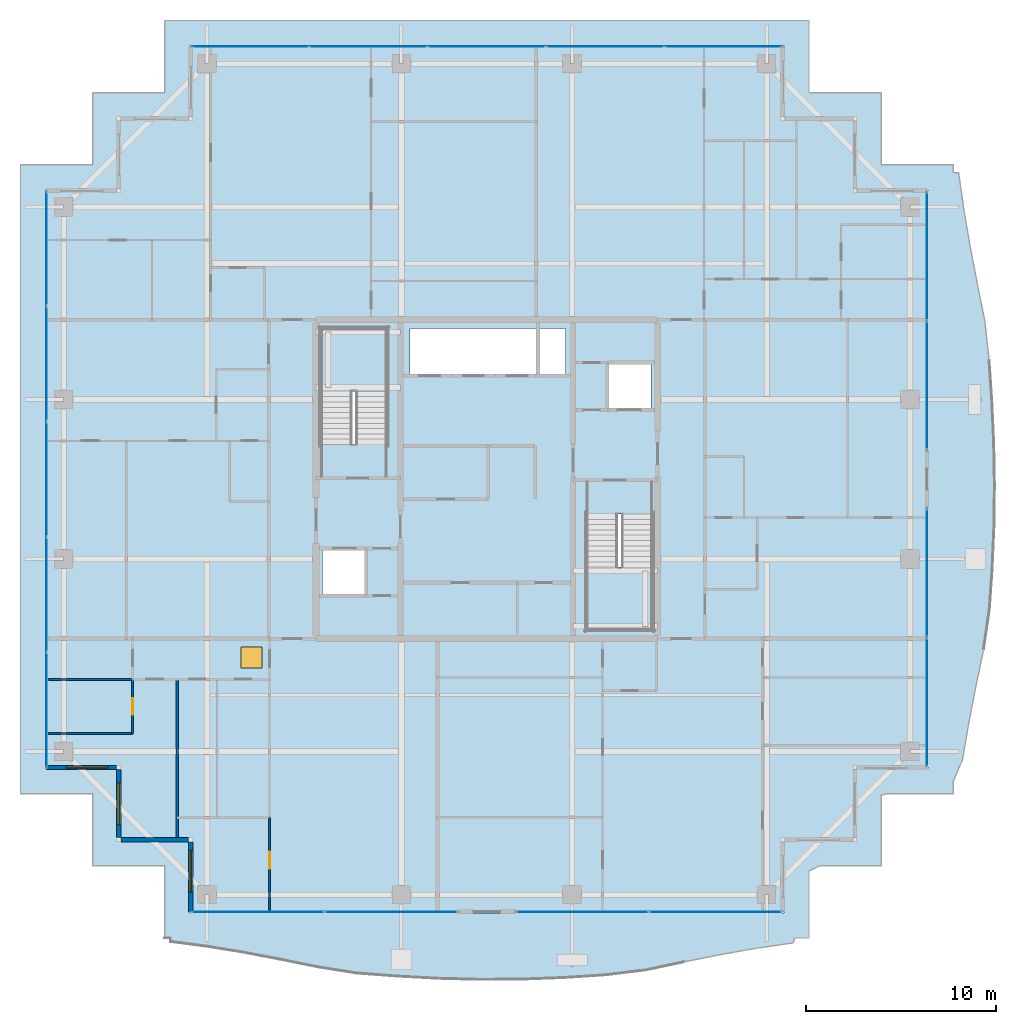
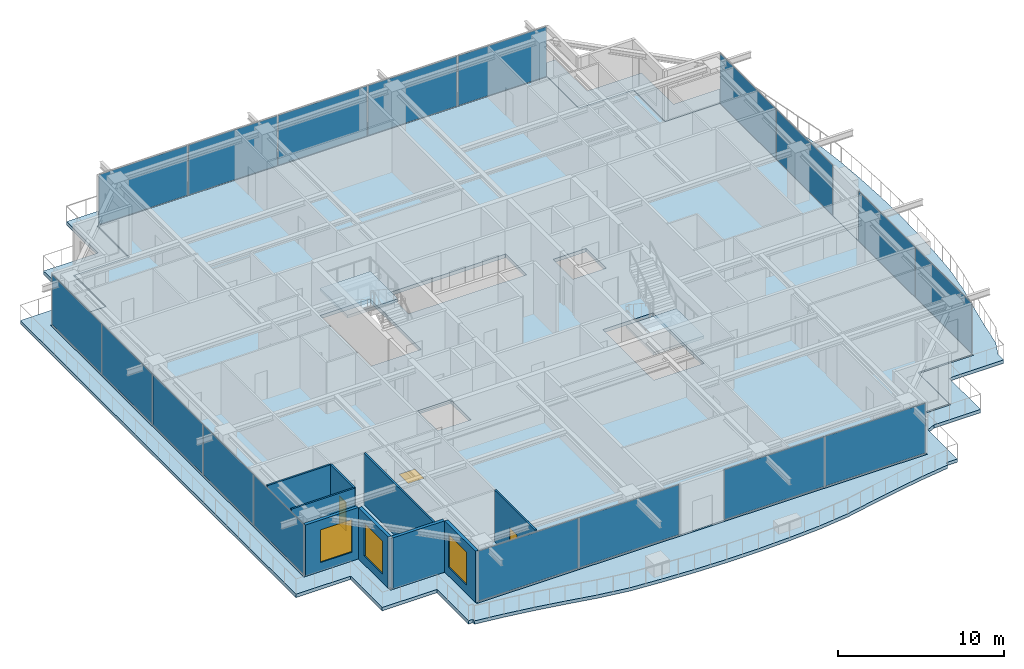
"""IFC4 building model written with IfcOpenShell, lengths in metres."""

from ifc_helpers import new_model, si_unit, direction, frame, frame_2d, origin, origin_2d, place, context, subcontext, project, spatial, polyline, rectangle, outline, extrude, source, transform, mapped, material, layer, layer_set, type_object, element, fill, aggregate, save


model = new_model("IFC4")

# Units and contexts
model_context = context("Model", 3, precision=1e-05, world=origin(), true_north=direction((0.0, 1.0)))
body_context = subcontext(model_context, "Body", "Model", "MODEL_VIEW")
ifc_project = project(units=[si_unit("LENGTHUNIT", "METRE"), si_unit("AREAUNIT", "SQUARE_METRE"), si_unit("VOLUMEUNIT", "CUBIC_METRE"), si_unit("PLANEANGLEUNIT", "RADIAN"), si_unit("MASSUNIT", "GRAM", prefix="KILO")], contexts=[model_context])

# Site, building, storey
site_placement = place(None, origin())
site = spatial("IfcSite", under=ifc_project, at=site_placement, CompositionType="ELEMENT")
building_placement = place(site_placement, origin())
building = spatial("IfcBuilding", under=site, at=building_placement, Name="Serunith Strait Residences", CompositionType="ELEMENT")
storey_1_placement = place(building_placement, frame((0.0, 0.0, 293.449951171875)))
storey_1 = spatial("IfcBuildingStorey", under=building, at=storey_1_placement, Name="L73", CompositionType="ELEMENT", Elevation=293.449951171875)

# Slab
ifc_material_1 = material(Name="Concrete C50/60", Category="concrete")
ifc_layer_1 = layer(ifc_material_1, 0.239990234375, Name="Concrete C50/60")
ifc_layer_set_1 = layer_set([ifc_layer_1], Name="Concrete C50/60")
slab_type_1 = type_object("IfcSlabType", Name="SLB-BALC-240", PredefinedType="FLOOR", material=ifc_layer_set_1)
slab_1_placement = place(storey_1_placement, frame((0.0, 0.0, -0.2900390625)))
element("IfcSlab", 1, at=slab_1_placement, inside=storey_1, type_object=slab_type_1, Name="L73 Planted Vertical-Forest Balcony Slab", PredefinedType="FLOOR", context=body_context, shape_type="SweptSolid", body=[
    extrude(outline(polyline([(15.419921875, 1.02001953125), (15.419921875, 4.820068359375), (11.6201171875, 4.820068359375), (11.6201171875, 8.6201171875), (7.820068359375, 8.6201171875), (7.820068359375, 41.780029296875), (11.6201171875, 41.780029296875), (11.6201171875, 45.580078125), (15.407470703125, 45.580078125), (15.419921875, 45.584716796875), (15.419921875, 49.3798828125), (49.3798828125, 49.3798828125), (49.3798828125, 45.580078125), (53.179931640625, 45.580078125), (53.179931640625, 41.921142578125), (53.201171875, 41.780029296875), (56.97998046875, 41.780029296875), (56.97998046875, 41.367919921875), (57.2685546875, 41.350341796875), (57.53759765625, 39.4482421875), (57.862548828125, 37.52880859375), (58.2373046875, 35.57568359375), (58.64208984375, 33.5703125), (58.87841796875, 31.458251953125), (59.02587890625, 29.293212890625), (59.125, 27.1005859375), (59.163330078125, 24.892333984375), (59.134765625, 22.68408203125), (59.040771484375, 20.491943359375), (58.89111328125, 18.329833984375), (58.584228515625, 16.24609375), (58.17138671875, 14.25830078125), (57.794189453125, 12.3203125), (57.4716796875, 10.41259765625), (56.97998046875, 9.27587890625), (56.97998046875, 8.6201171875), (53.48193359375, 8.6201171875), (53.179931640625, 8.544677734375), (53.179931640625, 4.820068359375), (49.9423828125, 4.820068359375), (49.3798828125, 4.554931640625), (49.3798828125, 1.02001953125), (48.63330078125, 1.02001953125), (48.548583984375, 0.7626953125), (46.653076171875, 0.4873046875), (44.741455078125, 0.15087890625), (42.795654296875, -0.240478515625), (40.794677734375, -0.664794921875), (38.682861328125, -0.924560546875), (36.509521484375, -1.069580078125), (34.30712890625, -1.154296875), (32.091552734375, -1.16943359375), (29.880126953125, -1.1142578125), (27.689208984375, -0.996826171875), (25.530517578125, -0.83154296875), (23.455810546875, -0.50537109375), (21.47119140625, -0.09716796875), (19.533935546875, 0.26953125), (17.624267578125, 0.57958984375), (15.7265625, 0.831298828125), (15.72802734375, 1.02001953125), (15.419921875, 1.02001953125)]), holes=[polyline([(48.054931640625, 2.344970703125), (48.054931640625, 6.14501953125), (51.85498046875, 6.14501953125), (51.85498046875, 9.945068359375), (55.655029296875, 9.945068359375), (55.655029296875, 40.455078125), (51.85498046875, 40.455078125), (51.85498046875, 44.2548828125), (48.054931640625, 44.2548828125), (48.054931640625, 48.054931640625), (16.7451171875, 48.054931640625), (16.7451171875, 44.2548828125), (12.945068359375, 44.2548828125), (12.945068359375, 40.455078125), (9.14501953125, 40.455078125), (9.14501953125, 9.945068359375), (12.945068359375, 9.945068359375), (12.945068359375, 6.14501953125), (16.7451171875, 6.14501953125), (16.7451171875, 2.344970703125), (48.054931640625, 2.344970703125)])]), origin(), (0.0, 0.0, 1.0), 0.239990234375),
])

# Stair, slab
stair_type_1 = type_object("IfcStairType", Name="STR-CORE-1", PredefinedType="HALF_TURN_STAIR", material=ifc_material_1)
stair_1_placement = place(storey_1_placement, origin())
stair_1 = element("IfcStair", 2, at=stair_1_placement, inside=storey_1, type_object=stair_type_1, Name="L73 Protected Escape Stair ST-1", PredefinedType="HALF_TURN_STAIR")
ifc_layer_2 = layer(ifc_material_1, 0.199951171875, Name="Concrete C50/60")
ifc_layer_set_2 = layer_set([ifc_layer_2], Name="Concrete C50/60")
slab_type_2 = type_object("IfcSlabType", Name="SLB-LAND-200", PredefinedType="LANDING", material=ifc_layer_set_2)
slab_2_placement = place(storey_1_placement, frame((0.0, 0.0, 1.824951171875)))
slab_2 = element("IfcSlab", 3, at=slab_2_placement, type_object=slab_type_2, Name="ST-1 landing 1", PredefinedType="LANDING", context=body_context, shape_type="SweptSolid", body=[
    extrude(outline(polyline([(27.14990234375, 29.830078125), (27.14990234375, 33.14990234375), (23.64990234375, 33.14990234375), (23.64990234375, 29.830078125), (27.14990234375, 29.830078125)])), origin(), (0.0, 0.0, 1.0), 0.2001953125),
])
aggregate(stair_1, [slab_2])

stair_type_2 = type_object("IfcStairType", Name="STR-CORE-2", PredefinedType="HALF_TURN_STAIR", material=ifc_material_1)
stair_2_placement = place(storey_1_placement, origin())
stair_2 = element("IfcStair", 4, at=stair_2_placement, inside=storey_1, type_object=stair_type_2, Name="L73 Protected Escape Stair ST-2", PredefinedType="HALF_TURN_STAIR")
slab_3_placement = place(storey_1_placement, frame((0.0, 0.0, 1.824951171875)))
slab_3 = element("IfcSlab", 5, at=slab_3_placement, type_object=slab_type_2, Name="ST-2 landing 1", PredefinedType="LANDING", context=body_context, shape_type="SweptSolid", body=[
    extrude(outline(polyline([(37.64990234375, 20.570068359375), (37.64990234375, 17.25), (41.14990234375, 17.25), (41.14990234375, 20.570068359375), (37.64990234375, 20.570068359375)])), origin(), (0.0, 0.0, 1.0), 0.2001953125),
])
aggregate(stair_2, [slab_3])

# Slab, opening
ifc_material_2 = material(Name="Concrete C60/75", Category="concrete")
ifc_layer_3 = layer(ifc_material_2, 0.260009765625, Name="Concrete C60/75")
ifc_layer_set_3 = layer_set([ifc_layer_3], Name="Concrete C60/75")
slab_type_3 = type_object("IfcSlabType", Name="SLB-TWR-290-Z4", PredefinedType="FLOOR", material=ifc_layer_set_3)
slab_4_placement = place(storey_1_placement, frame((0.0, 0.0, -0.260009765625)))
slab_4 = element("IfcSlab", 6, at=slab_4_placement, inside=storey_1, type_object=slab_type_3, Name="L73 Structural Floor Plate", PredefinedType="FLOOR", context=body_context, shape_type="SweptSolid", body=[
    extrude(outline(polyline([(16.800048828125, 6.199951171875), (13.0, 6.199951171875), (13.0, 10.0), (9.199951171875, 10.0), (9.199951171875, 40.39990234375), (13.0, 40.39990234375), (13.0, 44.199951171875), (16.800048828125, 44.199951171875), (16.800048828125, 48.0), (48.0, 48.0), (48.0, 44.199951171875), (51.800048828125, 44.199951171875), (51.800048828125, 40.39990234375), (55.60009765625, 40.39990234375), (55.60009765625, 10.0), (51.800048828125, 10.0), (51.800048828125, 6.199951171875), (48.0, 6.199951171875), (48.0, 2.39990234375), (16.800048828125, 2.39990234375), (16.800048828125, 6.199951171875)]), holes=[polyline([(41.14990234375, 23.3701171875), (37.64990234375, 23.3701171875), (37.64990234375, 17.25), (41.14990234375, 17.25), (41.14990234375, 23.3701171875)]), polyline([(38.75, 31.25), (38.75, 28.85009765625), (41.050048828125, 28.85009765625), (41.050048828125, 31.25), (38.75, 31.25)]), polyline([(36.550048828125, 33.14990234375), (28.35009765625, 33.14990234375), (28.35009765625, 30.64990234375), (36.550048828125, 30.64990234375), (36.550048828125, 33.14990234375)]), polyline([(23.64990234375, 33.14990234375), (23.64990234375, 27.030029296875), (27.14990234375, 27.030029296875), (27.14990234375, 33.14990234375), (23.64990234375, 33.14990234375)]), polyline([(23.75, 21.550048828125), (23.75, 19.14990234375), (26.050048828125, 19.14990234375), (26.050048828125, 21.550048828125), (23.75, 21.550048828125)])]), origin(), (0.0, 0.0, 1.0), 0.260009765625),
])
opening_1_placement = place(slab_4_placement, frame((20.0, 15.800048828125, 0.0)))
opening_1 = element("IfcOpeningElement", 7, at=opening_1_placement, cuts=slab_4, Name="Opening RH-01", PredefinedType="OPENING", context=body_context, shape_type="SweptSolid", body=[
    extrude(rectangle(XDim=1.10009765625, YDim=1.10009765625, at=origin_2d()), frame((0.0, 0.0, -0.010009765625)), (0.0, 0.0, 1.0), 0.280029296875),
])

# Storey
storey_2_placement = place(building_placement, frame((0.0, 0.0, 287.449951171875)))
storey_2 = spatial("IfcBuildingStorey", under=building, at=storey_2_placement, Name="L72", CompositionType="ELEMENT", Elevation=287.449951171875)

# Door
ifc_material_3 = material(Name="Insulated Aluminium Roof Access Hatch", Category="aluminium")
door_type_1 = type_object("IfcDoorType", Name="HATCH-ROOF-1100", OperationType="SINGLE_SWING_LEFT", PredefinedType="TRAPDOOR", material=ifc_material_3)
door_1_placement = place(opening_1_placement, frame((0.0, 0.0, 0.219970703125)))
door_1 = element("IfcDoor", 8, at=door_1_placement, inside=storey_2, type_object=door_type_1, Name="L72 Maintenance Access Hatch 03", OperationType="SINGLE_SWING_LEFT", OverallHeight=1.10009765625, OverallWidth=1.10009765625, PredefinedType="TRAPDOOR", context=body_context, shape_type="SweptSolid", body=[
    extrude(rectangle(XDim=1.10009765625, YDim=1.10009765625, at=origin_2d()), origin(), (0.0, 0.0, 1.0), 0.0400390625),
])

fill(opening_1, door_1)

# Curtain wall, plates
ifc_material_4 = material(Name="Brushed Stainless-Silver Aluminium", Category="aluminium")
ifc_layer_4 = layer(ifc_material_4, 0.199951171875, Name="Brushed Stainless-Silver Aluminium")
ifc_layer_set_4 = layer_set([ifc_layer_4], Name="Brushed Stainless-Silver Aluminium")
curtain_wall_type = type_object("IfcCurtainWallType", Name="CW-SYS5", PredefinedType="NOTDEFINED", material=ifc_layer_set_4)
curtain_wall_1_placement = place(storey_1_placement, origin())
curtain_wall_1 = element("IfcCurtainWall", 9, at=curtain_wall_1_placement, inside=storey_1, type_object=curtain_wall_type, Name="L73 S Unitised Fritted Curtain Wall", PredefinedType="NOTDEFINED")
ifc_material_5 = material(Name="Triple-Silver Low-E Operable Glazing 34mm", Category="glass")
ifc_layer_5 = layer(ifc_material_5, 0.033935546875, Name="Triple-Silver Low-E Operable Glazing 34mm")
ifc_layer_set_5 = layer_set([ifc_layer_5], Name="Triple-Silver Low-E Operable Glazing 34mm")
plate_type = type_object("IfcPlateType", Name="CW-SYS5-PNL", PredefinedType="CURTAIN_PANEL", material=ifc_layer_set_5)
shared_shape_1 = source(origin(), body_context, "Body", "SweptSolid", [
    extrude(rectangle(XDim=6.952392578125, YDim=0.033935546875, at=origin_2d()), origin(), (0.0, 0.0, 1.0), 3.655029296875),
])
plate_1_placement = place(storey_1_placement, frame((20.34130859375, 2.39990234375, 0.06005859375), z_axis=(0.0, 0.0, 1.0), x_axis=(1.0, 0.0, 0.0)))
plate_1 = element("IfcPlate", 10, at=plate_1_placement, type_object=plate_type, Name="CW-5 panel 1.1", PredefinedType="CURTAIN_PANEL", context=body_context, shape_type="MappedRepresentation", body=[
    mapped(shared_shape_1, transform((0.0, 0.0, 0.0), scale=1.0)),
])
plate_2_placement = place(storey_1_placement, frame((27.358642578125, 2.39990234375, 0.06005859375), z_axis=(0.0, 0.0, 1.0), x_axis=(1.0, 0.0, 0.0)))
plate_2 = element("IfcPlate", 11, at=plate_2_placement, type_object=plate_type, Name="CW-5 panel 2.1", PredefinedType="CURTAIN_PANEL", context=body_context, shape_type="MappedRepresentation", body=[
    mapped(shared_shape_1, transform((0.0, 0.0, 0.0), scale=1.0)),
])
aggregate(curtain_wall_1, [plate_1, plate_2])

curtain_wall_2_placement = place(storey_1_placement, origin())
curtain_wall_2 = element("IfcCurtainWall", 12, at=curtain_wall_2_placement, inside=storey_1, type_object=curtain_wall_type, Name="L73 S Unitised Fritted Curtain Wall", PredefinedType="NOTDEFINED")
plate_3_placement = place(storey_1_placement, frame((37.441162109375, 2.39990234375, 0.06005859375), z_axis=(0.0, 0.0, 1.0), x_axis=(1.0, 0.0, 0.0)))
plate_3 = element("IfcPlate", 13, at=plate_3_placement, type_object=plate_type, Name="CW-5 panel 1.1", PredefinedType="CURTAIN_PANEL", context=body_context, shape_type="MappedRepresentation", body=[
    mapped(shared_shape_1, transform((0.0, 0.0, 0.0), scale=1.0)),
])
plate_4_placement = place(storey_1_placement, frame((44.458740234375, 2.39990234375, 0.06005859375), z_axis=(0.0, 0.0, 1.0), x_axis=(1.0, 0.0, 0.0)))
plate_4 = element("IfcPlate", 14, at=plate_4_placement, type_object=plate_type, Name="CW-5 panel 2.1", PredefinedType="CURTAIN_PANEL", context=body_context, shape_type="MappedRepresentation", body=[
    mapped(shared_shape_1, transform((0.0, 0.0, 0.0), scale=1.0)),
])
aggregate(curtain_wall_2, [plate_3, plate_4])

curtain_wall_3_placement = place(storey_1_placement, origin())
curtain_wall_3 = element("IfcCurtainWall", 15, at=curtain_wall_3_placement, inside=storey_1, type_object=curtain_wall_type, Name="L73 E Unitised Fritted Curtain Wall", PredefinedType="NOTDEFINED")
shared_shape_2 = source(origin(), body_context, "Body", "SweptSolid", [
    extrude(rectangle(XDim=6.75244140625, YDim=0.033935546875, at=origin_2d()), origin(), (0.0, 0.0, 1.0), 3.655029296875),
])
plate_5_placement = place(storey_1_placement, frame((55.60009765625, 13.441162109375, 0.06005859375), z_axis=(0.0, 0.0, 1.0), x_axis=(0.0, 1.0, 0.0)))
plate_5 = element("IfcPlate", 16, at=plate_5_placement, type_object=plate_type, Name="CW-5 panel 1.1", PredefinedType="CURTAIN_PANEL", context=body_context, shape_type="MappedRepresentation", body=[
    mapped(shared_shape_2, transform((0.0, 0.0, 0.0), scale=1.0)),
])
plate_6_placement = place(storey_1_placement, frame((55.60009765625, 20.2587890625, 0.06005859375), z_axis=(0.0, 0.0, 1.0), x_axis=(0.0, 1.0, 0.0)))
plate_6 = element("IfcPlate", 17, at=plate_6_placement, type_object=plate_type, Name="CW-5 panel 2.1", PredefinedType="CURTAIN_PANEL", context=body_context, shape_type="MappedRepresentation", body=[
    mapped(shared_shape_2, transform((0.0, 0.0, 0.0), scale=1.0)),
])
aggregate(curtain_wall_3, [plate_5, plate_6])

curtain_wall_4_placement = place(storey_1_placement, origin())
curtain_wall_4 = element("IfcCurtainWall", 18, at=curtain_wall_4_placement, inside=storey_1, type_object=curtain_wall_type, Name="L73 E Unitised Fritted Curtain Wall", PredefinedType="NOTDEFINED")
plate_7_placement = place(storey_1_placement, frame((55.60009765625, 30.141357421875, 0.06005859375), z_axis=(0.0, 0.0, 1.0), x_axis=(0.0, 1.0, 0.0)))
plate_7 = element("IfcPlate", 19, at=plate_7_placement, type_object=plate_type, Name="CW-5 panel 1.1", PredefinedType="CURTAIN_PANEL", context=body_context, shape_type="MappedRepresentation", body=[
    mapped(shared_shape_2, transform((0.0, 0.0, 0.0), scale=1.0)),
])
plate_8_placement = place(storey_1_placement, frame((55.60009765625, 36.958740234375, 0.06005859375), z_axis=(0.0, 0.0, 1.0), x_axis=(0.0, 1.0, 0.0)))
plate_8 = element("IfcPlate", 20, at=plate_8_placement, type_object=plate_type, Name="CW-5 panel 2.1", PredefinedType="CURTAIN_PANEL", context=body_context, shape_type="MappedRepresentation", body=[
    mapped(shared_shape_2, transform((0.0, 0.0, 0.0), scale=1.0)),
])
aggregate(curtain_wall_4, [plate_7, plate_8])

curtain_wall_5_placement = place(storey_1_placement, origin())
curtain_wall_5 = element("IfcCurtainWall", 21, at=curtain_wall_5_placement, inside=storey_1, type_object=curtain_wall_type, Name="L73 N Unitised Fritted Curtain Wall", PredefinedType="NOTDEFINED")
shared_shape_3 = source(origin(), body_context, "Body", "SweptSolid", [
    extrude(rectangle(XDim=6.142578125, YDim=0.033935546875, at=origin_2d()), origin(), (0.0, 0.0, 1.0), 3.655029296875),
])
plate_9_placement = place(storey_1_placement, frame((44.86376953125, 48.0, 0.06005859375), z_axis=(0.0, 0.0, 1.0), x_axis=(-1.0, 0.0, 0.0)))
plate_9 = element("IfcPlate", 22, at=plate_9_placement, type_object=plate_type, Name="CW-5 panel 1.1", PredefinedType="CURTAIN_PANEL", context=body_context, shape_type="MappedRepresentation", body=[
    mapped(shared_shape_3, transform((0.0, 0.0, 0.0), scale=1.0)),
])
plate_10_placement = place(storey_1_placement, frame((19.936279296875, 48.0, 0.06005859375), z_axis=(0.0, 0.0, 1.0), x_axis=(-1.0, 0.0, 0.0)))
plate_10 = element("IfcPlate", 23, at=plate_10_placement, type_object=plate_type, Name="CW-5 panel 5.1", PredefinedType="CURTAIN_PANEL", context=body_context, shape_type="MappedRepresentation", body=[
    mapped(shared_shape_3, transform((0.0, 0.0, 0.0), scale=1.0)),
])
shared_shape_4 = source(origin(), body_context, "Body", "SweptSolid", [
    extrude(rectangle(XDim=6.175048828125, YDim=0.033935546875, at=origin_2d()), origin(), (0.0, 0.0, 1.0), 3.655029296875),
])
plate_11_placement = place(storey_1_placement, frame((38.639892578125, 48.0, 0.06005859375), z_axis=(0.0, 0.0, 1.0), x_axis=(-1.0, 0.0, 0.0)))
plate_11 = element("IfcPlate", 24, at=plate_11_placement, type_object=plate_type, Name="CW-5 panel 2.1", PredefinedType="CURTAIN_PANEL", context=body_context, shape_type="MappedRepresentation", body=[
    mapped(shared_shape_4, transform((0.0, 0.0, 0.0), scale=1.0)),
])
plate_12_placement = place(storey_1_placement, frame((32.39990234375, 48.0, 0.06005859375), z_axis=(0.0, 0.0, 1.0), x_axis=(-1.0, 0.0, 0.0)))
plate_12 = element("IfcPlate", 25, at=plate_12_placement, type_object=plate_type, Name="CW-5 panel 3.1", PredefinedType="CURTAIN_PANEL", context=body_context, shape_type="MappedRepresentation", body=[
    mapped(shared_shape_4, transform((0.0, 0.0, 0.0), scale=1.0)),
])
plate_13_placement = place(storey_1_placement, frame((26.159912109375, 48.0, 0.06005859375), z_axis=(0.0, 0.0, 1.0), x_axis=(-1.0, 0.0, 0.0)))
plate_13 = element("IfcPlate", 26, at=plate_13_placement, type_object=plate_type, Name="CW-5 panel 4.1", PredefinedType="CURTAIN_PANEL", context=body_context, shape_type="MappedRepresentation", body=[
    mapped(shared_shape_4, transform((0.0, 0.0, 0.0), scale=1.0)),
])
aggregate(curtain_wall_5, [plate_9, plate_11, plate_12, plate_13, plate_10])

curtain_wall_6_placement = place(storey_1_placement, origin())
curtain_wall_6 = element("IfcCurtainWall", 27, at=curtain_wall_6_placement, inside=storey_1, type_object=curtain_wall_type, Name="L73 W Unitised Fritted Curtain Wall", PredefinedType="NOTDEFINED")
shared_shape_5 = source(origin(), body_context, "Body", "SweptSolid", [
    extrude(rectangle(XDim=5.982421875, YDim=0.033935546875, at=origin_2d()), origin(), (0.0, 0.0, 1.0), 3.655029296875),
])
plate_14_placement = place(storey_1_placement, frame((9.199951171875, 37.34375, 0.06005859375), z_axis=(0.0, 0.0, 1.0), x_axis=(0.0, -1.0, 0.0)))
plate_14 = element("IfcPlate", 28, at=plate_14_placement, type_object=plate_type, Name="CW-5 panel 1.1", PredefinedType="CURTAIN_PANEL", context=body_context, shape_type="MappedRepresentation", body=[
    mapped(shared_shape_5, transform((0.0, 0.0, 0.0), scale=1.0)),
])
plate_15_placement = place(storey_1_placement, frame((9.199951171875, 13.05615234375, 0.06005859375), z_axis=(0.0, 0.0, 1.0), x_axis=(0.0, -1.0, 0.0)))
plate_15 = element("IfcPlate", 29, at=plate_15_placement, type_object=plate_type, Name="CW-5 panel 5.1", PredefinedType="CURTAIN_PANEL", context=body_context, shape_type="MappedRepresentation", body=[
    mapped(shared_shape_5, transform((0.0, 0.0, 0.0), scale=1.0)),
])
shared_shape_6 = source(origin(), body_context, "Body", "SweptSolid", [
    extrude(rectangle(XDim=6.014892578125, YDim=0.033935546875, at=origin_2d()), origin(), (0.0, 0.0, 1.0), 3.655029296875),
])
plate_16_placement = place(storey_1_placement, frame((9.199951171875, 31.280029296875, 0.06005859375), z_axis=(0.0, 0.0, 1.0), x_axis=(0.0, -1.0, 0.0)))
plate_16 = element("IfcPlate", 30, at=plate_16_placement, type_object=plate_type, Name="CW-5 panel 2.1", PredefinedType="CURTAIN_PANEL", context=body_context, shape_type="MappedRepresentation", body=[
    mapped(shared_shape_6, transform((0.0, 0.0, 0.0), scale=1.0)),
])
plate_17_placement = place(storey_1_placement, frame((9.199951171875, 25.199951171875, 0.06005859375), z_axis=(0.0, 0.0, 1.0), x_axis=(0.0, -1.0, 0.0)))
plate_17 = element("IfcPlate", 31, at=plate_17_placement, type_object=plate_type, Name="CW-5 panel 3.1", PredefinedType="CURTAIN_PANEL", context=body_context, shape_type="MappedRepresentation", body=[
    mapped(shared_shape_6, transform((0.0, 0.0, 0.0), scale=1.0)),
])
plate_18_placement = place(storey_1_placement, frame((9.199951171875, 19.1201171875, 0.06005859375), z_axis=(0.0, 0.0, 1.0), x_axis=(0.0, -1.0, 0.0)))
plate_18 = element("IfcPlate", 32, at=plate_18_placement, type_object=plate_type, Name="CW-5 panel 4.1", PredefinedType="CURTAIN_PANEL", context=body_context, shape_type="MappedRepresentation", body=[
    mapped(shared_shape_6, transform((0.0, 0.0, 0.0), scale=1.0)),
])
aggregate(curtain_wall_6, [plate_14, plate_16, plate_17, plate_18, plate_15])

# Wall, opening, window
ifc_material_6 = material(Name="Pale-Champagne Aluminium Insulated Panel", Category="aluminium")
ifc_layer_6 = layer(ifc_material_6, 0.219970703125, Name="Pale-Champagne Aluminium Insulated Panel")
ifc_layer_set_6 = layer_set([ifc_layer_6], Name="Pale-Champagne Aluminium Insulated Panel")
wall_type_1 = type_object("IfcWallType", Name="EW-ALUM-220", PredefinedType="ELEMENTEDWALL", material=ifc_layer_set_6)
wall_1_placement = place(storey_1_placement, frame((9.199951171875, 10.0, 0.0), z_axis=(0.0, 0.0, 1.0), x_axis=(1.0, 0.0, 0.0)))
wall_1 = element("IfcWall", 33, at=wall_1_placement, inside=storey_1, type_object=wall_type_1, Name="L73 Girih Serrated Corner Wall 17", PredefinedType="ELEMENTEDWALL", context=body_context, shape_type="SweptSolid", body=[
    extrude(rectangle(XDim=3.68994140625, YDim=0.219970703125, at=frame_2d((1.844970703125, 0.0))), origin(), (0.0, 0.0, 1.0), 3.775146484375),
])
opening_2_placement = place(wall_1_placement, frame((1.04296875, 0.0, 0.64990234375)))
opening_2 = element("IfcOpeningElement", 34, at=opening_2_placement, cuts=wall_1, Name="Opening W-06", PredefinedType="OPENING", context=body_context, shape_type="SweptSolid", body=[
    extrude(rectangle(XDim=2.199951171875, YDim=2.39990234375, at=frame_2d((1.10009765625, 1.199951171875))), frame((0.0, 0.1201171875, 0.0), z_axis=(0.0, -1.0, 0.0), x_axis=(1.0, 0.0, 0.0)), (0.0, 0.0, 1.0), 0.239990234375),
])
ifc_material_7 = material(Name="Crown Penthouse Low-E Operable Window Glass", Category="glass")
window_type = type_object("IfcWindowType", Name="WIN-C6", PartitioningType="TRIPLE_PANEL_VERTICAL", PredefinedType="WINDOW", material=ifc_material_7)
shared_shape_7 = source(origin(), body_context, "Body", "SweptSolid", [
    extrude(rectangle(XDim=2.199951171875, YDim=2.39990234375, at=frame_2d((1.10009765625, 1.199951171875))), frame((0.0, 0.030029296875, 0.0), z_axis=(0.0, -1.0, 0.0), x_axis=(1.0, 0.0, 0.0)), (0.0, 0.0, 1.0), 0.06005859375),
])
window_1_placement = place(opening_2_placement, origin())
window_1 = element("IfcWindow", 35, at=window_1_placement, inside=storey_1, type_object=window_type, Name="L73 Corner Operable Fritted Window 17", OverallHeight=2.39990234375, OverallWidth=2.199951171875, PartitioningType="SINGLE_PANEL", PredefinedType="WINDOW", context=body_context, shape_type="MappedRepresentation", body=[
    mapped(shared_shape_7, transform((0.0, 0.0, 0.0), scale=1.0)),
])
fill(opening_2, window_1)

wall_2_placement = place(storey_1_placement, frame((13.0, 9.889892578125, 0.0), z_axis=(0.0, 0.0, 1.0), x_axis=(0.0, -1.0, 0.0)))
wall_2 = element("IfcWall", 36, at=wall_2_placement, inside=storey_1, type_object=wall_type_1, Name="L73 Girih Serrated Corner Wall 18", PredefinedType="ELEMENTEDWALL", context=body_context, shape_type="SweptSolid", body=[
    extrude(rectangle(XDim=3.579833984375, YDim=0.219970703125, at=frame_2d((1.7900390625, 0.0))), origin(), (0.0, 0.0, 1.0), 3.775146484375),
])
opening_3_placement = place(wall_2_placement, frame((0.68994140625, 0.0, 0.64990234375)))
opening_3 = element("IfcOpeningElement", 37, at=opening_3_placement, cuts=wall_2, Name="Opening W-06", PredefinedType="OPENING", context=body_context, shape_type="SweptSolid", body=[
    extrude(rectangle(XDim=2.199951171875, YDim=2.39990234375, at=frame_2d((1.10009765625, 1.199951171875))), frame((0.0, 0.1201171875, 0.0), z_axis=(0.0, -1.0, 0.0), x_axis=(1.0, 0.0, 0.0)), (0.0, 0.0, 1.0), 0.239990234375),
])
window_2_placement = place(opening_3_placement, origin())
window_2 = element("IfcWindow", 38, at=window_2_placement, inside=storey_1, type_object=window_type, Name="L73 Corner Operable Fritted Window 18", OverallHeight=2.39990234375, OverallWidth=2.199951171875, PartitioningType="SINGLE_PANEL", PredefinedType="WINDOW", context=body_context, shape_type="MappedRepresentation", body=[
    mapped(shared_shape_7, transform((0.0, 0.0, 0.0), scale=1.0)),
])
fill(opening_3, window_2)

# Wall
wall_3_placement = place(storey_1_placement, frame((13.110107421875, 6.199951171875, 0.0), z_axis=(0.0, 0.0, 1.0), x_axis=(1.0, 0.0, 0.0)))
element("IfcWall", 39, at=wall_3_placement, inside=storey_1, type_object=wall_type_1, Name="L73 Girih Serrated Corner Wall 19", PredefinedType="ELEMENTEDWALL", context=body_context, shape_type="SweptSolid", body=[
    extrude(rectangle(XDim=3.579833984375, YDim=0.219970703125, at=frame_2d((1.7900390625, 0.0))), origin(), (0.0, 0.0, 1.0), 3.775146484375),
])

# Wall, opening, window
wall_4_placement = place(storey_1_placement, frame((16.800048828125, 6.090087890625, 0.0), z_axis=(0.0, 0.0, 1.0), x_axis=(0.0, -1.0, 0.0)))
wall_4 = element("IfcWall", 40, at=wall_4_placement, inside=storey_1, type_object=wall_type_1, Name="L73 Girih Serrated Corner Wall 20", PredefinedType="ELEMENTEDWALL", context=body_context, shape_type="SweptSolid", body=[
    extrude(rectangle(XDim=3.690185546875, YDim=0.219970703125, at=frame_2d((1.84521484375, 0.0))), origin(), (0.0, 0.0, 1.0), 3.775146484375),
])
opening_4_placement = place(wall_4_placement, frame((0.447021484375, 0.0, 0.64990234375)))
opening_4 = element("IfcOpeningElement", 41, at=opening_4_placement, cuts=wall_4, Name="Opening W-06", PredefinedType="OPENING", context=body_context, shape_type="SweptSolid", body=[
    extrude(rectangle(XDim=2.199951171875, YDim=2.39990234375, at=frame_2d((1.10009765625, 1.199951171875))), frame((0.0, 0.1201171875, 0.0), z_axis=(0.0, -1.0, 0.0), x_axis=(1.0, 0.0, 0.0)), (0.0, 0.0, 1.0), 0.239990234375),
])
window_3_placement = place(opening_4_placement, origin())
window_3 = element("IfcWindow", 42, at=window_3_placement, inside=storey_1, type_object=window_type, Name="L73 Corner Operable Fritted Window 20", OverallHeight=2.39990234375, OverallWidth=2.199951171875, PartitioningType="SINGLE_PANEL", PredefinedType="WINDOW", context=body_context, shape_type="MappedRepresentation", body=[
    mapped(shared_shape_7, transform((0.0, 0.0, 0.0), scale=1.0)),
])
fill(opening_4, window_3)

# Wall, opening, door
ifc_material_8 = material(Name="Lightweight steel-stud gypsum partition", Category="steel")
ifc_layer_7 = layer(ifc_material_8, 0.1201171875, Name="Lightweight steel-stud gypsum partition")
ifc_layer_set_7 = layer_set([ifc_layer_7], Name="Lightweight steel-stud gypsum partition")
wall_type_2 = type_object("IfcWallType", Name="IW-PART-120", PredefinedType="PARTITIONING", material=ifc_layer_set_7)
wall_5_placement = place(storey_1_placement, frame((20.949951171875, 2.4951171875, 0.0), z_axis=(0.0, 0.0, 1.0), x_axis=(0.0, 1.0, 0.0)))
wall_5 = element("IfcWall", 43, at=wall_5_placement, inside=storey_1, type_object=wall_type_2, Name="L73 Partition Wall 033", PredefinedType="PARTITIONING", context=body_context, shape_type="SweptSolid", body=[
    extrude(rectangle(XDim=4.867919921875, YDim=0.1201171875, at=frame_2d((2.43408203125, 0.0))), origin(), (0.0, 0.0, 1.0), 3.7900390625),
])
opening_5_placement = place(wall_5_placement, frame((2.181884765625, 0.0, 0.0)))
opening_5 = element("IfcOpeningElement", 44, at=opening_5_placement, cuts=wall_5, Name="Opening D-RM900", PredefinedType="OPENING", context=body_context, shape_type="SweptSolid", body=[
    extrude(rectangle(XDim=0.89990234375, YDim=2.10009765625, at=frame_2d((0.449951171875, 1.050048828125))), frame((0.0, 0.070068359375, 0.0), z_axis=(0.0, -1.0, 0.0), x_axis=(1.0, 0.0, 0.0)), (0.0, 0.0, 1.0), 0.14013671875),
])
ifc_material_9 = material(Name="Engineered timber flush bedroom door", Category="wood")
door_type_2 = type_object("IfcDoorType", Name="ID-ROOM-900", OperationType="NOTDEFINED", PredefinedType="DOOR", material=ifc_material_9)
shared_shape_8 = source(origin(), body_context, "Body", "SweptSolid", [
    extrude(rectangle(XDim=0.89990234375, YDim=2.10009765625, at=frame_2d((0.449951171875, 1.050048828125))), frame((0.0, 0.02490234375, 0.0), z_axis=(0.0, -1.0, 0.0), x_axis=(1.0, 0.0, 0.0)), (0.0, 0.0, 1.0), 0.050048828125),
])
door_2_placement = place(opening_5_placement, origin())
door_2 = element("IfcDoor", 45, at=door_2_placement, inside=storey_1, type_object=door_type_2, Name="L73 Study 1 7301 Door", OperationType="SINGLE_SWING_RIGHT", OverallHeight=2.10009765625, OverallWidth=0.89990234375, PredefinedType="DOOR", context=body_context, shape_type="MappedRepresentation", body=[
    mapped(shared_shape_8, transform((0.0, 0.0, 0.0), scale=1.0)),
])
fill(opening_5, door_2)

# Walls
wall_6_placement = place(storey_1_placement, frame((16.080078125, 6.294921875, 0.0), z_axis=(0.0, 0.0, 1.0), x_axis=(0.0, 1.0, 0.0)))
element("IfcWall", 46, at=wall_6_placement, inside=storey_1, type_object=wall_type_2, Name="L73 Partition Wall 036", PredefinedType="PARTITIONING", context=body_context, shape_type="SweptSolid", body=[
    extrude(rectangle(XDim=8.35498046875, YDim=0.1201171875, at=frame_2d((4.177490234375, 0.0))), origin(), (0.0, 0.0, 1.0), 3.7900390625),
])
wall_7_placement = place(storey_1_placement, frame((9.294921875, 11.7939453125, 0.0), z_axis=(0.0, 0.0, 1.0), x_axis=(1.0, 0.0, 0.0)))
element("IfcWall", 47, at=wall_7_placement, inside=storey_1, type_object=wall_type_2, Name="L73 Partition Wall 041", PredefinedType="PARTITIONING", context=body_context, shape_type="SweptSolid", body=[
    extrude(rectangle(XDim=4.43505859375, YDim=0.1201171875, at=frame_2d((2.217529296875, 0.0))), origin(), (0.0, 0.0, 1.0), 3.7900390625),
])
wall_8_placement = place(storey_1_placement, frame((9.294921875, 14.64990234375, 0.0), z_axis=(0.0, 0.0, 1.0), x_axis=(1.0, 0.0, 0.0)))
element("IfcWall", 48, at=wall_8_placement, inside=storey_1, type_object=wall_type_2, Name="L73 Partition Wall 042", PredefinedType="PARTITIONING", context=body_context, shape_type="SweptSolid", body=[
    extrude(rectangle(XDim=4.43310546875, YDim=0.1201171875, at=frame_2d((2.216552734375, 0.0))), origin(), (0.0, 0.0, 1.0), 3.7900390625),
])

# Wall, opening, door
wall_9_placement = place(storey_1_placement, frame((13.72998046875, 11.7939453125, 0.0), z_axis=(0.0, 0.0, 1.0), x_axis=(0.0, 1.0, 0.0)))
wall_9 = element("IfcWall", 49, at=wall_9_placement, inside=storey_1, type_object=wall_type_2, Name="L73 Partition Wall 043", PredefinedType="PARTITIONING", context=body_context, shape_type="SweptSolid", body=[
    extrude(rectangle(XDim=2.85595703125, YDim=0.1201171875, at=frame_2d((1.427978515625, 0.0))), origin(), (0.0, 0.0, 1.0), 3.7900390625),
])
opening_6_placement = place(wall_9_placement, frame((1.0029296875, 0.0, 0.0)))
opening_6 = element("IfcOpeningElement", 50, at=opening_6_placement, cuts=wall_9, Name="Opening D-BTH850", PredefinedType="OPENING", context=body_context, shape_type="SweptSolid", body=[
    extrude(rectangle(XDim=0.85009765625, YDim=2.10009765625, at=frame_2d((0.425048828125, 1.050048828125))), frame((0.0, 0.070068359375, 0.0), z_axis=(0.0, -1.0, 0.0), x_axis=(1.0, 0.0, 0.0)), (0.0, 0.0, 1.0), 0.14013671875),
])
ifc_material_10 = material(Name="Moisture-resistant timber bathroom door", Category="wood")
door_type_3 = type_object("IfcDoorType", Name="ID-BATH-850", OperationType="NOTDEFINED", PredefinedType="DOOR", material=ifc_material_10)
shared_shape_9 = source(origin(), body_context, "Body", "SweptSolid", [
    extrude(rectangle(XDim=0.85009765625, YDim=2.10009765625, at=frame_2d((0.425048828125, 1.050048828125))), frame((0.0, 0.02490234375, 0.0), z_axis=(0.0, -1.0, 0.0), x_axis=(1.0, 0.0, 0.0)), (0.0, 0.0, 1.0), 0.050048828125),
])
door_3_placement = place(opening_6_placement, origin())
door_3 = element("IfcDoor", 51, at=door_3_placement, inside=storey_1, type_object=door_type_3, Name="L73 En-suite Bathroom W 7301 Door", OperationType="SINGLE_SWING_RIGHT", OverallHeight=2.10009765625, OverallWidth=0.85009765625, PredefinedType="DOOR", context=body_context, shape_type="MappedRepresentation", body=[
    mapped(shared_shape_9, transform((0.0, 0.0, 0.0), scale=1.0)),
])
fill(opening_6, door_3)

save(model, "model.ifc")
